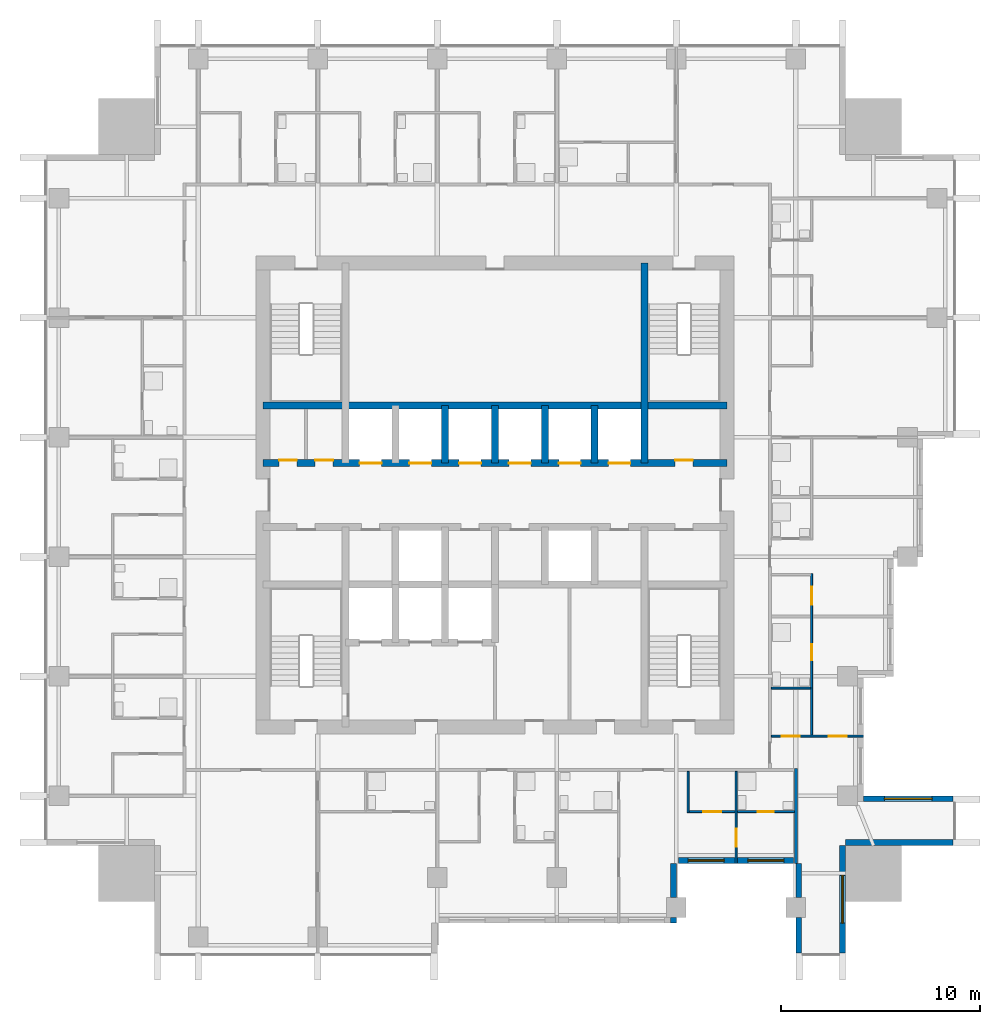
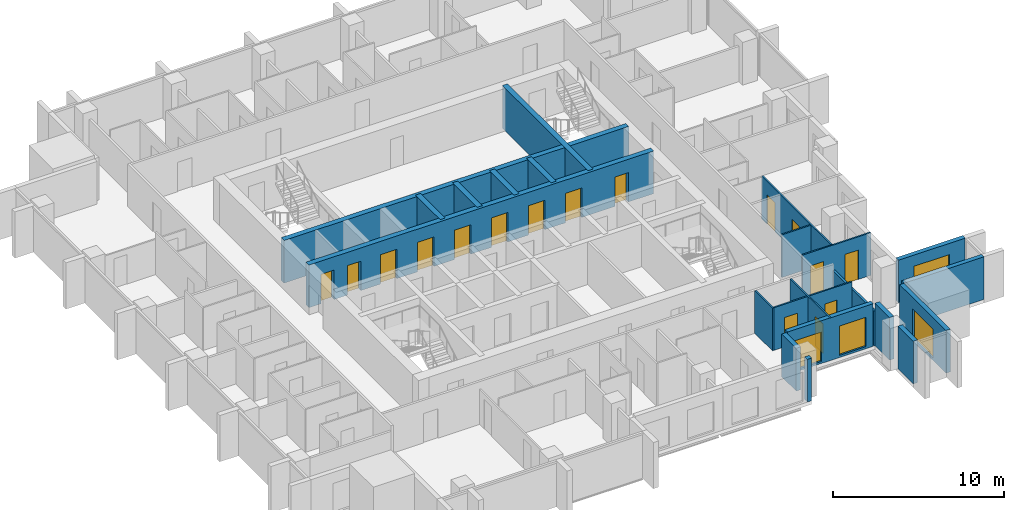
# One storey, part 6 of 11: 22 walls, 16 doors, 4 windows, 20 openings.
"""IFC4 building model written with IfcOpenShell, lengths in metres."""

from ifc_helpers import new_model, si_unit, direction, frame, frame_2d, origin, place, context, subcontext, project, spatial, rectangle, extrude, material, layer, layer_set, type_object, element, fill, save


model = new_model("IFC4")

# Units and contexts
model_context = context("Model", 3, precision=1e-05, world=origin(), true_north=direction((0.0, 1.0)))
body_context = subcontext(model_context, "Body", "Model", "MODEL_VIEW")
ifc_project = project(units=[si_unit("LENGTHUNIT", "METRE"), si_unit("AREAUNIT", "SQUARE_METRE"), si_unit("VOLUMEUNIT", "CUBIC_METRE"), si_unit("PLANEANGLEUNIT", "RADIAN"), si_unit("MASSUNIT", "GRAM", prefix="KILO")], contexts=[model_context])

# Site, building, storey
site_placement = place(None, origin())
site = spatial("IfcSite", under=ifc_project, at=site_placement, CompositionType="ELEMENT")
building_placement = place(site_placement, origin())
building = spatial("IfcBuilding", under=site, at=building_placement, Name="Amberfall Residences", CompositionType="ELEMENT")
storey_placement = place(building_placement, frame((0.0, 0.0, 161.5)))
storey = spatial("IfcBuildingStorey", under=building, at=storey_placement, Name="L43", CompositionType="ELEMENT", Elevation=161.5)

# Walls
ifc_material_1 = material(Name="Pale stone cladding on insulated backing", Category="masonry")
ifc_layer_1 = layer(ifc_material_1, 0.300048828125)
ifc_layer_set_1 = layer_set([ifc_layer_1], Name="Bronze clad wall 300")
wall_type_1 = type_object("IfcWallType", Name="Bronze clad wall 300", PredefinedType="SOLIDWALL", material=ifc_layer_set_1)
wall_1_placement = place(storey_placement, frame((83.449951171875, 24.0, 0.0), z_axis=(0.0, 0.0, 1.0), x_axis=(0.0, 1.0, 0.0)))
element("IfcWall", 1, at=wall_1_placement, inside=storey, type_object=wall_type_1, Name="External wall L43 S", PredefinedType="SOLIDWALL", context=body_context, shape_type="SweptSolid", body=[
    extrude(rectangle(XDim=0.300048828125, YDim=0.300048828125, at=frame_2d((0.14990234375, 0.0))), origin(), (0.0, 0.0, 1.0), 3.050048828125),
])
for number, where, z_axis, x_axis, name in (
    (2, (83.449951171875, 25.300048828125, 0.0), (0.0, 0.0, 1.0), (0.0, 1.0, 0.0), "External wall L43 S"),
    (3, (89.75, 27.0, 0.0), (0.0, 0.0, 1.0), (0.0, -1.0, 0.0), "External wall L43 S"),
):
    element("IfcWall", number, at=place(storey_placement, frame(where, z_axis=z_axis, x_axis=x_axis)), inside=storey, type_object=wall_type_1, Name=name, PredefinedType="SOLIDWALL", context=body_context, shape_type="SweptSolid", body=[
        extrude(rectangle(XDim=1.699951171875, YDim=0.300048828125, at=frame_2d((0.85009765625, 0.0))), origin(), (0.0, 0.0, 1.0), 3.050048828125),
    ])
wall_2_placement = place(storey_placement, frame((89.75, 24.300048828125, 0.0), z_axis=(0.0, 0.0, 1.0), x_axis=(0.0, -1.0, 0.0)))
element("IfcWall", 4, at=wall_2_placement, inside=storey, type_object=wall_type_1, Name="External wall L43 S", PredefinedType="SOLIDWALL", context=body_context, shape_type="SweptSolid", body=[
    extrude(rectangle(XDim=1.800048828125, YDim=0.300048828125, at=frame_2d((0.89990234375, 0.0))), origin(), (0.0, 0.0, 1.0), 3.050048828125),
])

# Wall, opening, window
wall_3_placement = place(storey_placement, frame((91.949951171875, 22.5, 0.0), z_axis=(0.0, 0.0, 1.0), x_axis=(0.0, 1.0, 0.0)))
wall_3 = element("IfcWall", 5, at=wall_3_placement, inside=storey, type_object=wall_type_1, Name="External wall L43 SE", PredefinedType="SOLIDWALL", context=body_context, shape_type="SweptSolid", body=[
    extrude(rectangle(XDim=5.39990234375, YDim=0.300048828125, at=frame_2d((2.699951171875, 0.0))), origin(), (0.0, 0.0, 1.0), 3.050048828125),
])
opening_1_placement = place(wall_3_placement, frame((1.5, 0.0, 0.14990234375)))
opening_1 = element("IfcOpeningElement", 6, at=opening_1_placement, cuts=wall_3, Name="Opening WN5", PredefinedType="OPENING", context=body_context, shape_type="SweptSolid", body=[
    extrude(rectangle(XDim=2.39990234375, YDim=2.10009765625, at=frame_2d((1.199951171875, 1.050048828125))), frame((0.0, 0.159912109375, 0.0), z_axis=(0.0, -1.0, 0.0), x_axis=(1.0, 0.0, 0.0)), (0.0, 0.0, 1.0), 0.320068359375),
])
ifc_material_2 = material(Name="Bronze aluminium framed glazing", Category="aluminium")
window_type_1 = type_object("IfcWindowType", Name="Glazed opening 2400 x 2100 bronze", PartitioningType="DOUBLE_PANEL_VERTICAL", PredefinedType="WINDOW", material=ifc_material_2)
window_1_placement = place(opening_1_placement, origin())
window_1 = element("IfcWindow", 7, at=window_1_placement, inside=storey, type_object=window_type_1, Name="Window L43 SE", OverallHeight=2.10009765625, OverallWidth=2.39990234375, PartitioningType="DOUBLE_PANEL_VERTICAL", PredefinedType="WINDOW", context=body_context, shape_type="SweptSolid", body=[
    extrude(rectangle(XDim=2.39990234375, YDim=2.10009765625, at=frame_2d((1.199951171875, 1.050048828125))), frame((0.0, 0.030029296875, 0.0), z_axis=(0.0, -1.0, 0.0), x_axis=(1.0, 0.0, 0.0)), (0.0, 0.0, 1.0), 0.06005859375),
])
fill(opening_1, window_1)

# Wall
wall_4_placement = place(storey_placement, frame((92.10009765625, 28.050048828125, 0.0), z_axis=(0.0, 0.0, 1.0), x_axis=(1.0, 0.0, 0.0)))
element("IfcWall", 8, at=wall_4_placement, inside=storey, type_object=wall_type_1, Name="External wall L43 SE", PredefinedType="SOLIDWALL", context=body_context, shape_type="SweptSolid", body=[
    extrude(rectangle(XDim=5.39990234375, YDim=0.300048828125, at=frame_2d((2.699951171875, 0.0))), origin(), (0.0, 0.0, 1.0), 3.050048828125),
])

# Wall, opening, window
wall_5_placement = place(storey_placement, frame((97.5, 30.25, 0.0), z_axis=(0.0, 0.0, 1.0), x_axis=(-1.0, 0.0, 0.0)))
wall_5 = element("IfcWall", 9, at=wall_5_placement, inside=storey, type_object=wall_type_1, Name="External wall L43 E", PredefinedType="SOLIDWALL", context=body_context, shape_type="SweptSolid", body=[
    extrude(rectangle(XDim=4.5, YDim=0.300048828125, at=frame_2d((2.25, 0.0))), origin(), (0.0, 0.0, 1.0), 3.050048828125),
])
opening_2_placement = place(wall_5_placement, frame((1.050048828125, 0.0, 0.14990234375)))
opening_2 = element("IfcOpeningElement", 10, at=opening_2_placement, cuts=wall_5, Name="Opening WN5", PredefinedType="OPENING", context=body_context, shape_type="SweptSolid", body=[
    extrude(rectangle(XDim=2.39990234375, YDim=2.10009765625, at=frame_2d((1.199951171875, 1.050048828125))), frame((0.0, 0.159912109375, 0.0), z_axis=(0.0, -1.0, 0.0), x_axis=(1.0, 0.0, 0.0)), (0.0, 0.0, 1.0), 0.320068359375),
])
window_2_placement = place(opening_2_placement, origin())
window_2 = element("IfcWindow", 11, at=window_2_placement, inside=storey, type_object=window_type_1, Name="Window L43 E", OverallHeight=2.10009765625, OverallWidth=2.39990234375, PartitioningType="DOUBLE_PANEL_VERTICAL", PredefinedType="WINDOW", context=body_context, shape_type="SweptSolid", body=[
    extrude(rectangle(XDim=2.39990234375, YDim=2.10009765625, at=frame_2d((1.199951171875, 1.050048828125))), frame((0.0, 0.030029296875, 0.0), z_axis=(0.0, -1.0, 0.0), x_axis=(1.0, 0.0, 0.0)), (0.0, 0.0, 1.0), 0.06005859375),
])
fill(opening_2, window_2)

# Wall, openings, windows
wall_6_placement = place(storey_placement, frame((83.699951171875, 27.14990234375, 0.0), z_axis=(0.0, 0.0, 1.0), x_axis=(1.0, 0.0, 0.0)))
wall_6 = element("IfcWall", 12, at=wall_6_placement, inside=storey, type_object=wall_type_1, Name="Stone wall L43 S", PredefinedType="SOLIDWALL", context=body_context, shape_type="SweptSolid", body=[
    extrude(rectangle(XDim=5.7900390625, YDim=0.300048828125, at=frame_2d((2.89501953125, 0.0))), origin(), (0.0, 0.0, 1.0), 3.050048828125),
])
opening_3_placement = place(wall_6_placement, frame((0.5, 0.0, 0.14990234375)))
opening_3 = element("IfcOpeningElement", 13, at=opening_3_placement, cuts=wall_6, Name="Opening WN6", PredefinedType="OPENING", context=body_context, shape_type="SweptSolid", body=[
    extrude(rectangle(XDim=1.800048828125, YDim=2.10009765625, at=frame_2d((0.89990234375, 1.050048828125))), frame((0.0, 0.159912109375, 0.0), z_axis=(0.0, -1.0, 0.0), x_axis=(1.0, 0.0, 0.0)), (0.0, 0.0, 1.0), 0.320068359375),
])
opening_4_placement = place(wall_6_placement, frame((3.5, 0.0, 0.14990234375)))
opening_4 = element("IfcOpeningElement", 14, at=opening_4_placement, cuts=wall_6, Name="Opening WN6", PredefinedType="OPENING", context=body_context, shape_type="SweptSolid", body=[
    extrude(rectangle(XDim=1.800048828125, YDim=2.10009765625, at=frame_2d((0.89990234375, 1.050048828125))), frame((0.0, 0.159912109375, 0.0), z_axis=(0.0, -1.0, 0.0), x_axis=(1.0, 0.0, 0.0)), (0.0, 0.0, 1.0), 0.320068359375),
])
window_type_2 = type_object("IfcWindowType", Name="Glazed opening 1800 x 2100 bronze", PartitioningType="DOUBLE_PANEL_VERTICAL", PredefinedType="WINDOW", material=ifc_material_2)
window_3_placement = place(opening_3_placement, origin())
window_3 = element("IfcWindow", 15, at=window_3_placement, inside=storey, type_object=window_type_2, Name="Window L43 S", OverallHeight=2.10009765625, OverallWidth=1.800048828125, PartitioningType="DOUBLE_PANEL_VERTICAL", PredefinedType="WINDOW", context=body_context, shape_type="SweptSolid", body=[
    extrude(rectangle(XDim=1.800048828125, YDim=2.10009765625, at=frame_2d((0.89990234375, 1.050048828125))), frame((0.0, 0.030029296875, 0.0), z_axis=(0.0, -1.0, 0.0), x_axis=(1.0, 0.0, 0.0)), (0.0, 0.0, 1.0), 0.06005859375),
])
fill(opening_3, window_3)
window_4_placement = place(opening_4_placement, origin())
window_4 = element("IfcWindow", 16, at=window_4_placement, inside=storey, type_object=window_type_2, Name="Window L43 S", OverallHeight=2.10009765625, OverallWidth=1.800048828125, PartitioningType="DOUBLE_PANEL_VERTICAL", PredefinedType="WINDOW", context=body_context, shape_type="SweptSolid", body=[
    extrude(rectangle(XDim=1.800048828125, YDim=2.10009765625, at=frame_2d((0.89990234375, 1.050048828125))), frame((0.0, 0.030029296875, 0.0), z_axis=(0.0, -1.0, 0.0), x_axis=(1.0, 0.0, 0.0)), (0.0, 0.0, 1.0), 0.06005859375),
])
fill(opening_4, window_4)

# Wall, openings, doors
ifc_material_3 = material(Name="Concrete C60", Category="concrete")
ifc_layer_2 = layer(ifc_material_3, 0.35009765625)
ifc_layer_set_2 = layer_set([ifc_layer_2], Name="Core wall 350 C60")
wall_type_2 = type_object("IfcWallType", Name="Core wall 350 C60", PredefinedType="SHEAR", material=ifc_layer_set_2)
wall_7_placement = place(storey_placement, frame((62.85009765625, 47.10009765625, 0.0), z_axis=(0.0, 0.0, 1.0), x_axis=(1.0, 0.0, 0.0)))
wall_7 = element("IfcWall", 17, at=wall_7_placement, inside=storey, type_object=wall_type_2, Name="Core wall RW6 L43 H136", PredefinedType="SHEAR", context=body_context, shape_type="SweptSolid", body=[
    extrude(rectangle(XDim=23.2998046875, YDim=0.35009765625, at=frame_2d((11.64990234375, 0.0))), origin(), (0.0, 0.0, 1.0), 3.050048828125),
])
opening_5_placement = place(wall_7_placement, frame((0.806396484375, 0.0, 0.0)))
opening_5 = element("IfcOpeningElement", 18, at=opening_5_placement, cuts=wall_7, Name="Opening RD1", PredefinedType="OPENING", context=body_context, shape_type="SweptSolid", body=[
    extrude(rectangle(XDim=0.89990234375, YDim=2.10009765625, at=frame_2d((0.449951171875, 1.050048828125))), frame((0.0, 0.18505859375, 0.0), z_axis=(0.0, -1.0, 0.0), x_axis=(1.0, 0.0, 0.0)), (0.0, 0.0, 1.0), 0.3701171875),
])
opening_6_placement = place(wall_7_placement, frame((2.618896484375, 0.0, 0.0)))
opening_6 = element("IfcOpeningElement", 19, at=opening_6_placement, cuts=wall_7, Name="Opening RD1", PredefinedType="OPENING", context=body_context, shape_type="SweptSolid", body=[
    extrude(rectangle(XDim=0.89990234375, YDim=2.10009765625, at=frame_2d((0.449951171875, 1.050048828125))), frame((0.0, 0.18505859375, 0.0), z_axis=(0.0, -1.0, 0.0), x_axis=(1.0, 0.0, 0.0)), (0.0, 0.0, 1.0), 0.3701171875),
])
opening_7_placement = place(wall_7_placement, frame((20.6875, 0.0, 0.0)))
opening_7 = element("IfcOpeningElement", 20, at=opening_7_placement, cuts=wall_7, Name="Opening RD1", PredefinedType="OPENING", context=body_context, shape_type="SweptSolid", body=[
    extrude(rectangle(XDim=0.89990234375, YDim=2.10009765625, at=frame_2d((0.449951171875, 1.050048828125))), frame((0.0, 0.18505859375, 0.0), z_axis=(0.0, -1.0, 0.0), x_axis=(1.0, 0.0, 0.0)), (0.0, 0.0, 1.0), 0.3701171875),
])
opening_8_placement = place(wall_7_placement, frame((4.85009765625, 0.0, 0.0)))
opening_8 = element("IfcOpeningElement", 21, at=opening_8_placement, cuts=wall_7, Name="Opening LD1", PredefinedType="OPENING", context=body_context, shape_type="SweptSolid", body=[
    extrude(rectangle(XDim=1.10009765625, YDim=2.10009765625, at=frame_2d((0.550048828125, 1.050048828125))), frame((0.0, 0.18505859375, 0.0), z_axis=(0.0, -1.0, 0.0), x_axis=(1.0, 0.0, 0.0)), (0.0, 0.0, 1.0), 0.3701171875),
])
opening_9_placement = place(wall_7_placement, frame((7.35009765625, 0.0, 0.0)))
opening_9 = element("IfcOpeningElement", 22, at=opening_9_placement, cuts=wall_7, Name="Opening LD1", PredefinedType="OPENING", context=body_context, shape_type="SweptSolid", body=[
    extrude(rectangle(XDim=1.10009765625, YDim=2.10009765625, at=frame_2d((0.550048828125, 1.050048828125))), frame((0.0, 0.18505859375, 0.0), z_axis=(0.0, -1.0, 0.0), x_axis=(1.0, 0.0, 0.0)), (0.0, 0.0, 1.0), 0.3701171875),
])
opening_10_placement = place(wall_7_placement, frame((9.85009765625, 0.0, 0.0)))
opening_10 = element("IfcOpeningElement", 23, at=opening_10_placement, cuts=wall_7, Name="Opening LD1", PredefinedType="OPENING", context=body_context, shape_type="SweptSolid", body=[
    extrude(rectangle(XDim=1.10009765625, YDim=2.10009765625, at=frame_2d((0.550048828125, 1.050048828125))), frame((0.0, 0.18505859375, 0.0), z_axis=(0.0, -1.0, 0.0), x_axis=(1.0, 0.0, 0.0)), (0.0, 0.0, 1.0), 0.3701171875),
])
opening_11_placement = place(wall_7_placement, frame((12.35009765625, 0.0, 0.0)))
opening_11 = element("IfcOpeningElement", 24, at=opening_11_placement, cuts=wall_7, Name="Opening LD1", PredefinedType="OPENING", context=body_context, shape_type="SweptSolid", body=[
    extrude(rectangle(XDim=1.10009765625, YDim=2.10009765625, at=frame_2d((0.550048828125, 1.050048828125))), frame((0.0, 0.18505859375, 0.0), z_axis=(0.0, -1.0, 0.0), x_axis=(1.0, 0.0, 0.0)), (0.0, 0.0, 1.0), 0.3701171875),
])
opening_12_placement = place(wall_7_placement, frame((14.85009765625, 0.0, 0.0)))
opening_12 = element("IfcOpeningElement", 25, at=opening_12_placement, cuts=wall_7, Name="Opening LD1", PredefinedType="OPENING", context=body_context, shape_type="SweptSolid", body=[
    extrude(rectangle(XDim=1.10009765625, YDim=2.10009765625, at=frame_2d((0.550048828125, 1.050048828125))), frame((0.0, 0.18505859375, 0.0), z_axis=(0.0, -1.0, 0.0), x_axis=(1.0, 0.0, 0.0)), (0.0, 0.0, 1.0), 0.3701171875),
])
opening_13_placement = place(wall_7_placement, frame((17.35009765625, 0.0, 0.0)))
opening_13 = element("IfcOpeningElement", 26, at=opening_13_placement, cuts=wall_7, Name="Opening LD1", PredefinedType="OPENING", context=body_context, shape_type="SweptSolid", body=[
    extrude(rectangle(XDim=1.10009765625, YDim=2.10009765625, at=frame_2d((0.550048828125, 1.050048828125))), frame((0.0, 0.18505859375, 0.0), z_axis=(0.0, -1.0, 0.0), x_axis=(1.0, 0.0, 0.0)), (0.0, 0.0, 1.0), 0.3701171875),
])
ifc_material_4 = material(Name="Steel fire door set", Category="steel")
door_type_1 = type_object("IfcDoorType", Name="Lift landing door 1100 x 2100", OperationType="DOUBLE_DOOR_SLIDING", PredefinedType="DOOR", material=ifc_material_4)
door_1_placement = place(opening_8_placement, origin())
door_1 = element("IfcDoor", 27, at=door_1_placement, inside=storey, type_object=door_type_1, Name="Landing door HP1 L43", OperationType="DOUBLE_DOOR_SLIDING", OverallHeight=2.10009765625, OverallWidth=1.10009765625, PredefinedType="DOOR", context=body_context, shape_type="SweptSolid", body=[
    extrude(rectangle(XDim=1.10009765625, YDim=2.10009765625, at=frame_2d((0.550048828125, 1.050048828125))), frame((0.0, 0.02490234375, 0.0), z_axis=(0.0, -1.0, 0.0), x_axis=(1.0, 0.0, 0.0)), (0.0, 0.0, 1.0), 0.050048828125),
])
fill(opening_8, door_1)
door_2_placement = place(opening_9_placement, origin())
door_2 = element("IfcDoor", 28, at=door_2_placement, inside=storey, type_object=door_type_1, Name="Landing door HP2 L43", OperationType="DOUBLE_DOOR_SLIDING", OverallHeight=2.10009765625, OverallWidth=1.10009765625, PredefinedType="DOOR", context=body_context, shape_type="SweptSolid", body=[
    extrude(rectangle(XDim=1.10009765625, YDim=2.10009765625, at=frame_2d((0.550048828125, 1.050048828125))), frame((0.0, 0.02490234375, 0.0), z_axis=(0.0, -1.0, 0.0), x_axis=(1.0, 0.0, 0.0)), (0.0, 0.0, 1.0), 0.050048828125),
])
fill(opening_9, door_2)
door_3_placement = place(opening_10_placement, origin())
door_3 = element("IfcDoor", 29, at=door_3_placement, inside=storey, type_object=door_type_1, Name="Landing door HP3 L43", OperationType="DOUBLE_DOOR_SLIDING", OverallHeight=2.10009765625, OverallWidth=1.10009765625, PredefinedType="DOOR", context=body_context, shape_type="SweptSolid", body=[
    extrude(rectangle(XDim=1.10009765625, YDim=2.10009765625, at=frame_2d((0.550048828125, 1.050048828125))), frame((0.0, 0.02490234375, 0.0), z_axis=(0.0, -1.0, 0.0), x_axis=(1.0, 0.0, 0.0)), (0.0, 0.0, 1.0), 0.050048828125),
])
fill(opening_10, door_3)
door_4_placement = place(opening_11_placement, origin())
door_4 = element("IfcDoor", 30, at=door_4_placement, inside=storey, type_object=door_type_1, Name="Landing door HP4 L43", OperationType="DOUBLE_DOOR_SLIDING", OverallHeight=2.10009765625, OverallWidth=1.10009765625, PredefinedType="DOOR", context=body_context, shape_type="SweptSolid", body=[
    extrude(rectangle(XDim=1.10009765625, YDim=2.10009765625, at=frame_2d((0.550048828125, 1.050048828125))), frame((0.0, 0.02490234375, 0.0), z_axis=(0.0, -1.0, 0.0), x_axis=(1.0, 0.0, 0.0)), (0.0, 0.0, 1.0), 0.050048828125),
])
fill(opening_11, door_4)
door_5_placement = place(opening_12_placement, origin())
door_5 = element("IfcDoor", 31, at=door_5_placement, inside=storey, type_object=door_type_1, Name="Landing door HP5 L43", OperationType="DOUBLE_DOOR_SLIDING", OverallHeight=2.10009765625, OverallWidth=1.10009765625, PredefinedType="DOOR", context=body_context, shape_type="SweptSolid", body=[
    extrude(rectangle(XDim=1.10009765625, YDim=2.10009765625, at=frame_2d((0.550048828125, 1.050048828125))), frame((0.0, 0.02490234375, 0.0), z_axis=(0.0, -1.0, 0.0), x_axis=(1.0, 0.0, 0.0)), (0.0, 0.0, 1.0), 0.050048828125),
])
fill(opening_12, door_5)
door_6_placement = place(opening_13_placement, origin())
door_6 = element("IfcDoor", 32, at=door_6_placement, inside=storey, type_object=door_type_1, Name="Landing door HP6 L43", OperationType="DOUBLE_DOOR_SLIDING", OverallHeight=2.10009765625, OverallWidth=1.10009765625, PredefinedType="DOOR", context=body_context, shape_type="SweptSolid", body=[
    extrude(rectangle(XDim=1.10009765625, YDim=2.10009765625, at=frame_2d((0.550048828125, 1.050048828125))), frame((0.0, 0.02490234375, 0.0), z_axis=(0.0, -1.0, 0.0), x_axis=(1.0, 0.0, 0.0)), (0.0, 0.0, 1.0), 0.050048828125),
])
fill(opening_13, door_6)
door_type_2 = type_object("IfcDoorType", Name="Service room door 900 x 2100", OperationType="SINGLE_SWING_LEFT", PredefinedType="DOOR", material=ifc_material_4)
door_7_placement = place(opening_5_placement, origin())
door_7 = element("IfcDoor", 33, at=door_7_placement, inside=storey, type_object=door_type_2, Name="RD1 L43", OperationType="SINGLE_SWING_LEFT", OverallHeight=2.10009765625, OverallWidth=0.89990234375, PredefinedType="DOOR", context=body_context, shape_type="SweptSolid", body=[
    extrude(rectangle(XDim=0.89990234375, YDim=2.10009765625, at=frame_2d((0.449951171875, 1.050048828125))), frame((0.0, 0.16259765625, 0.0), z_axis=(0.0, -1.0, 0.0), x_axis=(1.0, 0.0, 0.0)), (0.0, 0.0, 1.0), 0.050048828125),
])
fill(opening_5, door_7)
door_8_placement = place(opening_6_placement, origin())
door_8 = element("IfcDoor", 34, at=door_8_placement, inside=storey, type_object=door_type_2, Name="RD1 L43", OperationType="SINGLE_SWING_RIGHT", OverallHeight=2.10009765625, OverallWidth=0.89990234375, PredefinedType="DOOR", context=body_context, shape_type="SweptSolid", body=[
    extrude(rectangle(XDim=0.89990234375, YDim=2.10009765625, at=frame_2d((0.449951171875, 1.050048828125))), frame((0.0, 0.16259765625, 0.0), z_axis=(0.0, -1.0, 0.0), x_axis=(1.0, 0.0, 0.0)), (0.0, 0.0, 1.0), 0.050048828125),
])
fill(opening_6, door_8)
door_9_placement = place(opening_7_placement, origin())
door_9 = element("IfcDoor", 35, at=door_9_placement, inside=storey, type_object=door_type_2, Name="RD1 L43", OperationType="SINGLE_SWING_LEFT", OverallHeight=2.10009765625, OverallWidth=0.89990234375, PredefinedType="DOOR", context=body_context, shape_type="SweptSolid", body=[
    extrude(rectangle(XDim=0.89990234375, YDim=2.10009765625, at=frame_2d((0.449951171875, 1.050048828125))), frame((0.0, 0.16259765625, 0.0), z_axis=(0.0, -1.0, 0.0), x_axis=(1.0, 0.0, 0.0)), (0.0, 0.0, 1.0), 0.050048828125),
])
fill(opening_7, door_9)

# Walls
wall_8_placement = place(storey_placement, frame((62.85009765625, 50.0, 0.0), z_axis=(0.0, 0.0, 1.0), x_axis=(1.0, 0.0, 0.0)))
element("IfcWall", 36, at=wall_8_placement, inside=storey, type_object=wall_type_2, Name="Core wall RW6 L43 H165", PredefinedType="SHEAR", context=body_context, shape_type="SweptSolid", body=[
    extrude(rectangle(XDim=23.2998046875, YDim=0.35009765625, at=frame_2d((11.64990234375, 0.0))), origin(), (0.0, 0.0, 1.0), 3.050048828125),
])
wall_9_placement = place(storey_placement, frame((82.0, 47.10009765625, 0.0), z_axis=(0.0, 0.0, 1.0), x_axis=(0.0, 1.0, 0.0)))
element("IfcWall", 37, at=wall_9_placement, inside=storey, type_object=wall_type_2, Name="Core wall RW6 L43 V195N", PredefinedType="SHEAR", context=body_context, shape_type="SweptSolid", body=[
    extrude(rectangle(XDim=10.0498046875, YDim=0.35009765625, at=frame_2d((5.02490234375, 0.0))), origin(), (0.0, 0.0, 1.0), 3.050048828125),
])
for number, where, z_axis, x_axis, name in (
    (38, (72.0, 47.10009765625, 0.0), (0.0, 0.0, 1.0), (0.0, 1.0, 0.0), "Core wall RW6 L43 HPD2"),
    (39, (74.5, 47.10009765625, 0.0), (0.0, 0.0, 1.0), (0.0, 1.0, 0.0), "Core wall RW6 L43 HPD3"),
    (40, (77.0, 47.10009765625, 0.0), (0.0, 0.0, 1.0), (0.0, 1.0, 0.0), "Core wall RW6 L43 HPD4"),
    (41, (79.5, 47.10009765625, 0.0), (0.0, 0.0, 1.0), (0.0, 1.0, 0.0), "Core wall RW6 L43 HPD5"),
):
    element("IfcWall", number, at=place(storey_placement, frame(where, z_axis=z_axis, x_axis=x_axis)), inside=storey, type_object=wall_type_2, Name=name, PredefinedType="SHEAR", context=body_context, shape_type="SweptSolid", body=[
        extrude(rectangle(XDim=2.89990234375, YDim=0.35009765625, at=frame_2d((1.449951171875, 0.0))), origin(), (0.0, 0.0, 1.0), 3.050048828125),
    ])
ifc_material_5 = material(Name="Gypsum board on metal stud")
ifc_layer_3 = layer(ifc_material_5, 0.10009765625)
ifc_layer_set_3 = layer_set([ifc_layer_3], Name="Flat partition 100")
wall_type_3 = type_object("IfcWallType", Name="Flat partition 100", PredefinedType="PARTITIONING", material=ifc_layer_set_3)
wall_10_placement = place(storey_placement, frame((84.199951171875, 29.550048828125, 0.0), z_axis=(0.0, 0.0, 1.0), x_axis=(0.0, 1.0, 0.0)))
element("IfcWall", 42, at=wall_10_placement, inside=storey, type_object=wall_type_3, Name="Partition 019", PredefinedType="PARTITIONING", context=body_context, shape_type="SweptSolid", body=[
    extrude(rectangle(XDim=2.074951171875, YDim=0.10009765625, at=frame_2d((1.03759765625, 0.0))), origin(), (0.0, 0.0, 1.0), 3.050048828125),
])

# Wall, opening, door
wall_11_placement = place(storey_placement, frame((86.60009765625, 31.625, 0.0), z_axis=(0.0, 0.0, 1.0), x_axis=(0.0, -1.0, 0.0)))
wall_11 = element("IfcWall", 43, at=wall_11_placement, inside=storey, type_object=wall_type_3, Name="Partition 020", PredefinedType="PARTITIONING", context=body_context, shape_type="SweptSolid", body=[
    extrude(rectangle(XDim=4.625, YDim=0.10009765625, at=frame_2d((2.3125, 0.0))), origin(), (0.0, 0.0, 1.0), 3.050048828125),
])
opening_14_placement = place(wall_11_placement, frame((2.875, 0.0, 0.0)))
opening_14 = element("IfcOpeningElement", 44, at=opening_14_placement, cuts=wall_11, Name="Opening D41", PredefinedType="OPENING", context=body_context, shape_type="SweptSolid", body=[
    extrude(rectangle(XDim=0.89990234375, YDim=2.10009765625, at=frame_2d((0.449951171875, 1.050048828125))), frame((0.0, 0.06005859375, 0.0), z_axis=(0.0, -1.0, 0.0), x_axis=(1.0, 0.0, 0.0)), (0.0, 0.0, 1.0), 0.1201171875),
])
ifc_material_6 = material(Name="Timber", Category="wood")
door_type_3 = type_object("IfcDoorType", Name="Internal door 900 x 2100", OperationType="SINGLE_SWING_LEFT", PredefinedType="DOOR", material=ifc_material_6)
door_10_placement = place(opening_14_placement, origin())
door_10 = element("IfcDoor", 45, at=door_10_placement, inside=storey, type_object=door_type_3, Name="Door 4303 bedroom2", OperationType="SINGLE_SWING_LEFT", OverallHeight=2.10009765625, OverallWidth=0.89990234375, PredefinedType="DOOR", context=body_context, shape_type="SweptSolid", body=[
    extrude(rectangle(XDim=0.89990234375, YDim=2.10009765625, at=frame_2d((0.449951171875, 1.050048828125))), frame((0.0, 0.02490234375, 0.0), z_axis=(0.0, -1.0, 0.0), x_axis=(1.0, 0.0, 0.0)), (0.0, 0.0, 1.0), 0.050048828125),
])
fill(opening_14, door_10)

# Wall, openings, doors
wall_12_placement = place(storey_placement, frame((90.39990234375, 33.449951171875, 0.0), z_axis=(0.0, 0.0, 1.0), x_axis=(0.0, 1.0, 0.0)))
wall_12 = element("IfcWall", 46, at=wall_12_placement, inside=storey, type_object=wall_type_3, Name="Partition 021", PredefinedType="PARTITIONING", context=body_context, shape_type="SweptSolid", body=[
    extrude(rectangle(XDim=8.10009765625, YDim=0.10009765625, at=frame_2d((4.050048828125, 0.0))), origin(), (0.0, 0.0, 1.0), 3.050048828125),
])
opening_15_placement = place(wall_12_placement, frame((3.75, 0.0, 0.0)))
opening_15 = element("IfcOpeningElement", 47, at=opening_15_placement, cuts=wall_12, Name="Opening D42", PredefinedType="OPENING", context=body_context, shape_type="SweptSolid", body=[
    extrude(rectangle(XDim=0.800048828125, YDim=2.10009765625, at=frame_2d((0.39990234375, 1.050048828125))), frame((0.0, 0.06005859375, 0.0), z_axis=(0.0, -1.0, 0.0), x_axis=(1.0, 0.0, 0.0)), (0.0, 0.0, 1.0), 0.1201171875),
])
opening_16_placement = place(wall_12_placement, frame((6.550048828125, 0.0, 0.0)))
opening_16 = element("IfcOpeningElement", 48, at=opening_16_placement, cuts=wall_12, Name="Opening D41", PredefinedType="OPENING", context=body_context, shape_type="SweptSolid", body=[
    extrude(rectangle(XDim=0.89990234375, YDim=2.10009765625, at=frame_2d((0.449951171875, 1.050048828125))), frame((0.0, 0.06005859375, 0.0), z_axis=(0.0, -1.0, 0.0), x_axis=(1.0, 0.0, 0.0)), (0.0, 0.0, 1.0), 0.1201171875),
])
door_type_4 = type_object("IfcDoorType", Name="Bathroom door 800 x 2100", OperationType="SINGLE_SWING_LEFT", PredefinedType="DOOR", material=ifc_material_6)
door_11_placement = place(opening_15_placement, origin())
door_11 = element("IfcDoor", 49, at=door_11_placement, inside=storey, type_object=door_type_4, Name="Door 4304 bath1", OperationType="SINGLE_SWING_LEFT", OverallHeight=2.10009765625, OverallWidth=0.800048828125, PredefinedType="DOOR", context=body_context, shape_type="SweptSolid", body=[
    extrude(rectangle(XDim=0.800048828125, YDim=2.10009765625, at=frame_2d((0.39990234375, 1.050048828125))), frame((0.0, 0.02490234375, 0.0), z_axis=(0.0, -1.0, 0.0), x_axis=(1.0, 0.0, 0.0)), (0.0, 0.0, 1.0), 0.050048828125),
])
fill(opening_15, door_11)
door_12_placement = place(opening_16_placement, origin())
door_12 = element("IfcDoor", 50, at=door_12_placement, inside=storey, type_object=door_type_3, Name="Door 4305 kitchen", OperationType="SINGLE_SWING_LEFT", OverallHeight=2.10009765625, OverallWidth=0.89990234375, PredefinedType="DOOR", context=body_context, shape_type="SweptSolid", body=[
    extrude(rectangle(XDim=0.89990234375, YDim=2.10009765625, at=frame_2d((0.449951171875, 1.050048828125))), frame((0.0, 0.02490234375, 0.0), z_axis=(0.0, -1.0, 0.0), x_axis=(1.0, 0.0, 0.0)), (0.0, 0.0, 1.0), 0.050048828125),
])
fill(opening_16, door_12)

# Wall
wall_13_placement = place(storey_placement, frame((88.375, 35.800048828125, 0.0), z_axis=(0.0, 0.0, 1.0), x_axis=(1.0, 0.0, 0.0)))
element("IfcWall", 51, at=wall_13_placement, inside=storey, type_object=wall_type_3, Name="Partition 042", PredefinedType="PARTITIONING", context=body_context, shape_type="SweptSolid", body=[
    extrude(rectangle(XDim=1.97509765625, YDim=0.10009765625, at=frame_2d((0.987548828125, 0.0))), origin(), (0.0, 0.0, 1.0), 3.050048828125),
])

# Wall, openings, doors
wall_14_placement = place(storey_placement, frame((88.375, 33.39990234375, 0.0), z_axis=(0.0, 0.0, 1.0), x_axis=(1.0, 0.0, 0.0)))
wall_14 = element("IfcWall", 52, at=wall_14_placement, inside=storey, type_object=wall_type_3, Name="Partition 044", PredefinedType="PARTITIONING", context=body_context, shape_type="SweptSolid", body=[
    extrude(rectangle(XDim=4.625, YDim=0.10009765625, at=frame_2d((2.3125, 0.0))), origin(), (0.0, 0.0, 1.0), 3.050048828125),
])
opening_17_placement = place(wall_14_placement, frame((0.52490234375, 0.0, 0.0)))
opening_17 = element("IfcOpeningElement", 53, at=opening_17_placement, cuts=wall_14, Name="Opening D41", PredefinedType="OPENING", context=body_context, shape_type="SweptSolid", body=[
    extrude(rectangle(XDim=0.89990234375, YDim=2.10009765625, at=frame_2d((0.449951171875, 1.050048828125))), frame((0.0, 0.06005859375, 0.0), z_axis=(0.0, -1.0, 0.0), x_axis=(1.0, 0.0, 0.0)), (0.0, 0.0, 1.0), 0.1201171875),
])
opening_18_placement = place(wall_14_placement, frame((2.875, 0.0, 0.0)))
opening_18 = element("IfcOpeningElement", 54, at=opening_18_placement, cuts=wall_14, Name="Opening D41", PredefinedType="OPENING", context=body_context, shape_type="SweptSolid", body=[
    extrude(rectangle(XDim=0.89990234375, YDim=2.10009765625, at=frame_2d((0.449951171875, 1.050048828125))), frame((0.0, 0.06005859375, 0.0), z_axis=(0.0, -1.0, 0.0), x_axis=(1.0, 0.0, 0.0)), (0.0, 0.0, 1.0), 0.1201171875),
])
door_13_placement = place(opening_17_placement, origin())
door_13 = element("IfcDoor", 55, at=door_13_placement, inside=storey, type_object=door_type_3, Name="Door 4304 kitchen", OperationType="SINGLE_SWING_LEFT", OverallHeight=2.10009765625, OverallWidth=0.89990234375, PredefinedType="DOOR", context=body_context, shape_type="SweptSolid", body=[
    extrude(rectangle(XDim=0.89990234375, YDim=2.10009765625, at=frame_2d((0.449951171875, 1.050048828125))), frame((0.0, 0.02490234375, 0.0), z_axis=(0.0, -1.0, 0.0), x_axis=(1.0, 0.0, 0.0)), (0.0, 0.0, 1.0), 0.050048828125),
])
fill(opening_17, door_13)
door_14_placement = place(opening_18_placement, origin())
door_14 = element("IfcDoor", 56, at=door_14_placement, inside=storey, type_object=door_type_3, Name="Door 4304 bedroom1", OperationType="SINGLE_SWING_LEFT", OverallHeight=2.10009765625, OverallWidth=0.89990234375, PredefinedType="DOOR", context=body_context, shape_type="SweptSolid", body=[
    extrude(rectangle(XDim=0.89990234375, YDim=2.10009765625, at=frame_2d((0.449951171875, 1.050048828125))), frame((0.0, 0.02490234375, 0.0), z_axis=(0.0, -1.0, 0.0), x_axis=(1.0, 0.0, 0.0)), (0.0, 0.0, 1.0), 0.050048828125),
])
fill(opening_18, door_14)

wall_15_placement = place(storey_placement, frame((84.25, 29.60009765625, 0.0), z_axis=(0.0, 0.0, 1.0), x_axis=(1.0, 0.0, 0.0)))
wall_15 = element("IfcWall", 57, at=wall_15_placement, inside=storey, type_object=wall_type_3, Name="Partition 048", PredefinedType="PARTITIONING", context=body_context, shape_type="SweptSolid", body=[
    extrude(rectangle(XDim=5.27490234375, YDim=0.10009765625, at=frame_2d((2.637451171875, 0.0))), origin(), (0.0, 0.0, 1.0), 3.050048828125),
])
opening_19_placement = place(wall_15_placement, frame((0.699951171875, 0.0, 0.0)))
opening_19 = element("IfcOpeningElement", 58, at=opening_19_placement, cuts=wall_15, Name="Opening D41", PredefinedType="OPENING", context=body_context, shape_type="SweptSolid", body=[
    extrude(rectangle(XDim=0.89990234375, YDim=2.10009765625, at=frame_2d((0.449951171875, 1.050048828125))), frame((0.0, 0.06005859375, 0.0), z_axis=(0.0, -1.0, 0.0), x_axis=(1.0, 0.0, 0.0)), (0.0, 0.0, 1.0), 0.1201171875),
])
opening_20_placement = place(wall_15_placement, frame((3.449951171875, 0.0, 0.0)))
opening_20 = element("IfcOpeningElement", 59, at=opening_20_placement, cuts=wall_15, Name="Opening D42", PredefinedType="OPENING", context=body_context, shape_type="SweptSolid", body=[
    extrude(rectangle(XDim=0.800048828125, YDim=2.10009765625, at=frame_2d((0.39990234375, 1.050048828125))), frame((0.0, 0.06005859375, 0.0), z_axis=(0.0, -1.0, 0.0), x_axis=(1.0, 0.0, 0.0)), (0.0, 0.0, 1.0), 0.1201171875),
])
door_15_placement = place(opening_20_placement, origin())
door_15 = element("IfcDoor", 60, at=door_15_placement, inside=storey, type_object=door_type_4, Name="Door 4303 bath2", OperationType="SINGLE_SWING_LEFT", OverallHeight=2.10009765625, OverallWidth=0.800048828125, PredefinedType="DOOR", context=body_context, shape_type="SweptSolid", body=[
    extrude(rectangle(XDim=0.800048828125, YDim=2.10009765625, at=frame_2d((0.39990234375, 1.050048828125))), frame((0.0, 0.02490234375, 0.0), z_axis=(0.0, -1.0, 0.0), x_axis=(1.0, 0.0, 0.0)), (0.0, 0.0, 1.0), 0.050048828125),
])
fill(opening_20, door_15)
door_16_placement = place(opening_19_placement, origin())
door_16 = element("IfcDoor", 61, at=door_16_placement, inside=storey, type_object=door_type_3, Name="Door 4303 kitchen", OperationType="SINGLE_SWING_LEFT", OverallHeight=2.10009765625, OverallWidth=0.89990234375, PredefinedType="DOOR", context=body_context, shape_type="SweptSolid", body=[
    extrude(rectangle(XDim=0.89990234375, YDim=2.10009765625, at=frame_2d((0.449951171875, 1.050048828125))), frame((0.0, 0.02490234375, 0.0), z_axis=(0.0, -1.0, 0.0), x_axis=(1.0, 0.0, 0.0)), (0.0, 0.0, 1.0), 0.050048828125),
])
fill(opening_19, door_16)

# Wall
ifc_material_7 = material(Name="Blockwork, plastered", Category="masonry")
ifc_layer_4 = layer(ifc_material_7, 0.14990234375)
ifc_layer_set_4 = layer_set([ifc_layer_4], Name="Flat separating wall 150")
wall_type_4 = type_object("IfcWallType", Name="Flat separating wall 150", PredefinedType="PARTITIONING", material=ifc_layer_set_4)
wall_16_placement = place(storey_placement, frame((89.60009765625, 27.0, 0.0), z_axis=(0.0, 0.0, 1.0), x_axis=(0.0, 1.0, 0.0)))
element("IfcWall", 62, at=wall_16_placement, inside=storey, type_object=wall_type_4, Name="Separating wall 059", PredefinedType="PARTITIONING", context=body_context, shape_type="SweptSolid", body=[
    extrude(rectangle(XDim=4.77490234375, YDim=0.14990234375, at=frame_2d((2.387451171875, 0.0))), origin(), (0.0, 0.0, 1.0), 2.510009765625),
])

save(model, "model.ifc")
